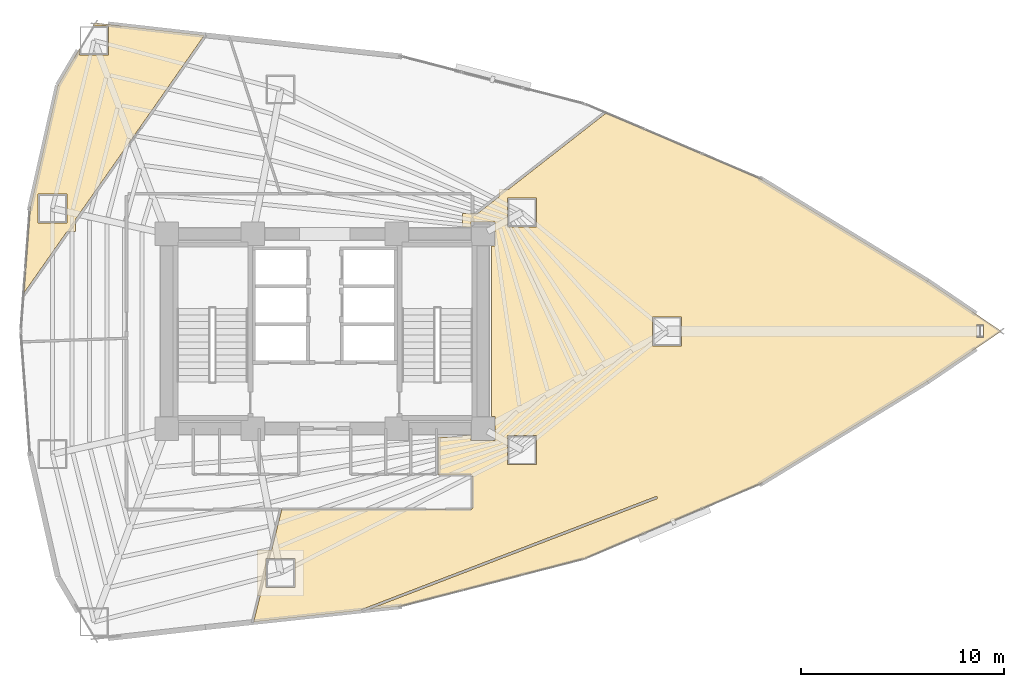
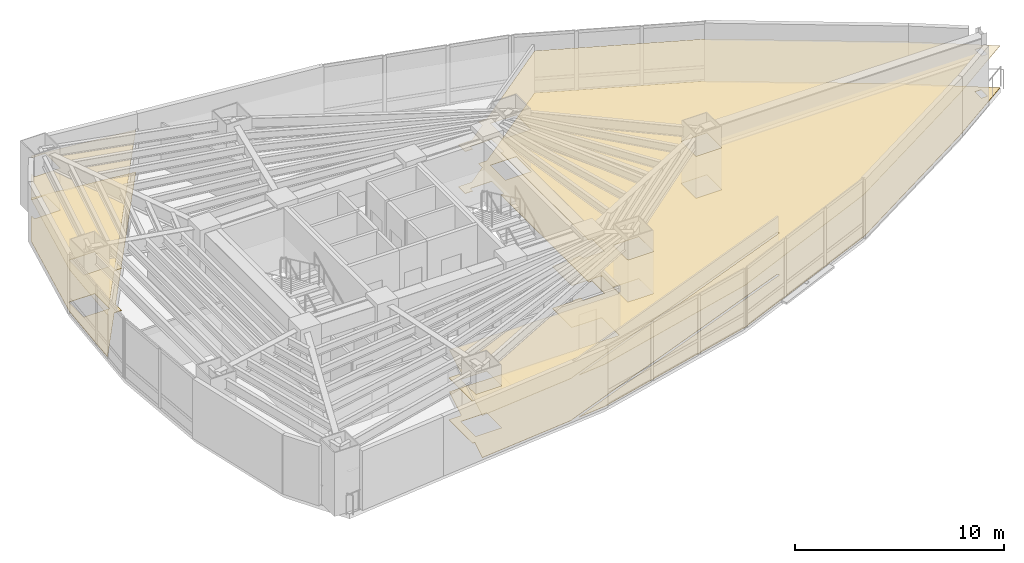
# One storey, part 18 of 20: 4 coverings.
"""IFC4 building model written with IfcOpenShell, lengths in metres."""

from ifc_helpers import new_model, si_unit, direction, frame, origin, place, context, subcontext, project, spatial, polyline, outline, extrude, material, layer, layer_set, type_object, element, save


model = new_model("IFC4")

# Units and contexts
model_context = context("Model", 3, precision=1e-05, world=origin(), true_north=direction((0.0, 1.0)))
body_context = subcontext(model_context, "Body", "Model", "MODEL_VIEW")
ifc_project = project(units=[si_unit("LENGTHUNIT", "METRE"), si_unit("AREAUNIT", "SQUARE_METRE"), si_unit("VOLUMEUNIT", "CUBIC_METRE"), si_unit("PLANEANGLEUNIT", "RADIAN"), si_unit("MASSUNIT", "GRAM", prefix="KILO")], contexts=[model_context])

# Site, building, storey
site_placement = place(None, origin())
site = spatial("IfcSite", under=ifc_project, at=site_placement, CompositionType="ELEMENT")
building_placement = place(site_placement, origin())
building = spatial("IfcBuilding", under=site, at=building_placement, Name="Menara Vayukalpa", CompositionType="ELEMENT")
storey_placement = place(building_placement, frame((0.0, 0.0, 57.360107421875)))
storey = spatial("IfcBuildingStorey", under=building, at=storey_placement, Name="L13", CompositionType="ELEMENT", Elevation=57.360107421875)

# Coverings
ifc_material_1 = material(Name="Mineral Fibre Acoustic Ceiling Tile", Category="masonry")
ifc_layer_1 = layer(ifc_material_1, 0.02490234375)
ifc_layer_set_1 = layer_set([ifc_layer_1], Name="Mineral Fibre Acoustic Ceiling Tile")
covering_type_1 = type_object("IfcCoveringType", Name="COV-CLG1", PredefinedType="CEILING", material=ifc_layer_set_1)
covering_1_placement = place(storey_placement, frame((0.0, 0.0, 2.449951171875)))
element("IfcCovering", 1, at=covering_1_placement, inside=storey, type_object=covering_type_1, Name="L13 Digital Engineering Lab Acoustic Ceiling", PredefinedType="CEILING", context=body_context, shape_type="SweptSolid", body=[
    extrude(outline(polyline([(23.47119140625, 13.21337890625), (23.471435546875, 13.214111328125), (23.471923828125, 13.215087890625), (23.472412109375, 13.2158203125), (23.472900390625, 13.216552734375), (23.4736328125, 13.21728515625), (23.474365234375, 13.218017578125), (23.47509765625, 13.218505859375), (23.475830078125, 13.218994140625), (23.476806640625, 13.21923828125), (23.477783203125, 13.219482421875), (23.478515625, 13.2197265625), (23.4794921875, 13.219970703125), (23.48046875, 13.219970703125), (32.7998046875, 13.219970703125), (32.806884765625, 13.220458984375), (32.813720703125, 13.22119140625), (32.8203125, 13.222900390625), (32.826904296875, 13.225341796875), (32.8330078125, 13.228271484375), (32.8388671875, 13.231689453125), (32.844482421875, 13.236083984375), (32.849609375, 13.240478515625), (32.85400390625, 13.24560546875), (32.858154296875, 13.251220703125), (32.86181640625, 13.257080078125), (32.86474609375, 13.26318359375), (32.866943359375, 13.269775390625), (32.86865234375, 13.2763671875), (32.86962890625, 13.283203125), (32.8701171875, 13.290283203125), (32.8701171875, 14.849609375), (32.86962890625, 14.856689453125), (32.86865234375, 14.86376953125), (32.866943359375, 14.870361328125), (32.86474609375, 14.876708984375), (32.86181640625, 14.883056640625), (32.858154296875, 14.888916015625), (32.85400390625, 14.89453125), (32.849609375, 14.8994140625), (32.844482421875, 14.904052734375), (32.8388671875, 14.908203125), (32.8330078125, 14.911865234375), (32.826904296875, 14.914794921875), (32.8203125, 14.9169921875), (32.813720703125, 14.918701171875), (32.806884765625, 14.919677734375), (32.7998046875, 14.919921875), (31.219970703125, 14.919921875), (31.218994140625, 14.919921875), (31.218017578125, 14.920166015625), (31.217041015625, 14.92041015625), (31.21630859375, 14.9208984375), (31.21533203125, 14.921142578125), (31.21435546875, 14.921630859375), (31.213623046875, 14.92236328125), (31.212890625, 14.9228515625), (31.21240234375, 14.923583984375), (31.211669921875, 14.92431640625), (31.211181640625, 14.92529296875), (31.210693359375, 14.92626953125), (31.21044921875, 14.927001953125), (31.210205078125, 14.927978515625), (31.2099609375, 14.928955078125), (31.2099609375, 14.929931640625), (31.2099609375, 16.780029296875), (31.2099609375, 16.781005859375), (31.210205078125, 16.781982421875), (31.21044921875, 16.782958984375), (31.210693359375, 16.78369140625), (31.211181640625, 16.78466796875), (31.211669921875, 16.78564453125), (31.21240234375, 16.786376953125), (31.212890625, 16.787109375), (31.213623046875, 16.78759765625), (31.21435546875, 16.788330078125), (31.21533203125, 16.788818359375), (31.21630859375, 16.789306640625), (31.217041015625, 16.78955078125), (31.218017578125, 16.789794921875), (31.218994140625, 16.7900390625), (31.219970703125, 16.7900390625), (32.389892578125, 16.7900390625), (32.389892578125, 16.85009765625), (32.81005859375, 16.85009765625), (32.81005859375, 16.610107421875), (33.989990234375, 16.610107421875), (33.989990234375, 17.7900390625), (33.81005859375, 17.7900390625), (33.81005859375, 26.2099609375), (33.989990234375, 26.2099609375), (33.989990234375, 27.389892578125), (32.81005859375, 27.389892578125), (32.81005859375, 27.14990234375), (32.389892578125, 27.14990234375), (32.389892578125, 27.81005859375), (33.134033203125, 27.81005859375), (34.18310546875, 28.629638671875), (34.18310546875, 28.998291015625), (34.65478515625, 28.998291015625), (39.451416015625, 32.74560546875), (39.454345703125, 32.748291015625), (39.455078125, 32.7490234375), (39.4560546875, 32.74951171875), (39.456787109375, 32.75), (39.457763671875, 32.750244140625), (39.458740234375, 32.75048828125), (39.459716796875, 32.750732421875), (39.460693359375, 32.750732421875), (39.4619140625, 32.750732421875), (39.462890625, 32.75048828125), (39.4638671875, 32.75048828125), (39.46484375, 32.75), (47.09228515625, 29.499755859375), (47.093505859375, 29.4990234375), (55.31494140625, 24.466796875), (55.315185546875, 24.466552734375), (58.927734375, 22.00830078125), (58.928466796875, 22.0078125), (58.92919921875, 22.007080078125), (58.929931640625, 22.00634765625), (58.930419921875, 22.005615234375), (58.930908203125, 22.004638671875), (58.931396484375, 22.00390625), (58.931640625, 22.0029296875), (58.931884765625, 22.001953125), (58.93212890625, 22.0009765625), (58.93212890625, 22.0), (58.93212890625, 21.9990234375), (58.931884765625, 21.998046875), (58.931640625, 21.9970703125), (58.931396484375, 21.99609375), (58.930908203125, 21.995361328125), (58.930419921875, 21.994384765625), (58.929931640625, 21.99365234375), (58.92919921875, 21.992919921875), (58.928466796875, 21.9921875), (58.927734375, 21.99169921875), (55.315185546875, 19.533447265625), (55.31494140625, 19.533203125), (47.093505859375, 14.5009765625), (47.09228515625, 14.500244140625), (38.41748046875, 10.8037109375), (38.416748046875, 10.803466796875), (38.416015625, 10.80322265625), (29.287109375, 8.442138671875), (29.28564453125, 8.44189453125), (27.8046875, 8.283447265625), (27.8037109375, 8.283203125), (27.802490234375, 8.283203125), (27.801513671875, 8.283447265625), (27.800537109375, 8.28369140625), (27.7998046875, 8.2841796875), (27.798828125, 8.284423828125), (27.7978515625, 8.284912109375), (27.797119140625, 8.28564453125), (27.79638671875, 8.2861328125), (27.795654296875, 8.287109375), (27.795166015625, 8.287841796875), (27.794677734375, 8.28857421875), (27.794189453125, 8.28955078125), (27.7939453125, 8.29052734375), (27.793701171875, 8.29150390625), (27.79345703125, 8.29248046875), (27.79345703125, 8.29345703125), (27.793701171875, 8.29443359375), (27.793701171875, 8.29541015625), (27.7939453125, 8.29638671875), (27.794189453125, 8.29736328125), (27.794921875, 8.298095703125), (27.79541015625, 8.299072265625), (27.7958984375, 8.2998046875), (27.796630859375, 8.300537109375), (27.79736328125, 8.30126953125), (27.798095703125, 8.3017578125), (27.799072265625, 8.30224609375), (27.7998046875, 8.302490234375), (41.950927734375, 13.734619140625), (41.95654296875, 13.737060546875), (41.9619140625, 13.739990234375), (41.966552734375, 13.743408203125), (41.970947265625, 13.747314453125), (41.97509765625, 13.751708984375), (41.978759765625, 13.756103515625), (41.98193359375, 13.76123046875), (41.984619140625, 13.766357421875), (41.98681640625, 13.771728515625), (41.98828125, 13.777587890625), (41.9892578125, 13.783203125), (41.98974609375, 13.789306640625), (41.989501953125, 13.795166015625), (41.98876953125, 13.801025390625), (41.987548828125, 13.806884765625), (41.985595703125, 13.812255859375), (41.9833984375, 13.817626953125), (41.98046875, 13.82275390625), (41.97705078125, 13.82763671875), (41.97314453125, 13.83203125), (41.968994140625, 13.836181640625), (41.96435546875, 13.83984375), (41.95947265625, 13.843017578125), (41.9541015625, 13.845703125), (41.948486328125, 13.84765625), (41.94287109375, 13.849365234375), (41.937255859375, 13.850341796875), (41.931396484375, 13.850830078125), (41.92529296875, 13.8505859375), (41.919677734375, 13.849853515625), (41.913818359375, 13.8486328125), (41.908203125, 13.8466796875), (27.40234375, 8.278564453125), (27.396728515625, 8.276123046875), (27.3916015625, 8.273193359375), (27.38671875, 8.269775390625), (27.38232421875, 8.265869140625), (27.37841796875, 8.26171875), (27.374755859375, 8.257080078125), (27.37158203125, 8.251953125), (27.368896484375, 8.246826171875), (27.366943359375, 8.241943359375), (27.366455078125, 8.240966796875), (27.365966796875, 8.239990234375), (27.365478515625, 8.2392578125), (27.36474609375, 8.238525390625), (27.364013671875, 8.23779296875), (27.36328125, 8.2373046875), (27.3623046875, 8.23681640625), (27.361572265625, 8.236328125), (27.360595703125, 8.236083984375), (27.359619140625, 8.235595703125), (27.358642578125, 8.235595703125), (22.103515625, 7.673095703125), (22.1025390625, 7.6728515625), (22.1015625, 7.6728515625), (22.1005859375, 7.673095703125), (22.099853515625, 7.67333984375), (22.098876953125, 7.673583984375), (22.097900390625, 7.674072265625), (22.09716796875, 7.674560546875), (22.096435546875, 7.675048828125), (22.095703125, 7.675537109375), (22.094970703125, 7.67626953125), (22.094482421875, 7.677001953125), (22.09375, 7.677978515625), (22.093505859375, 7.6787109375), (22.093017578125, 7.6796875), (22.0927734375, 7.6806640625), (22.092529296875, 7.681396484375), (22.092529296875, 7.6826171875), (22.092529296875, 7.683349609375), (22.092529296875, 7.684326171875), (22.0927734375, 7.685302734375), (22.40625, 8.942138671875), (22.284423828125, 8.942138671875), (22.284423828125, 11.212158203125), (22.97216796875, 11.212158203125), (23.470703125, 13.21240234375), (23.47119140625, 13.21337890625)]), holes=[polyline([(24.134521484375, 10.792236328125), (22.704345703125, 10.792236328125), (22.704345703125, 9.3623046875), (24.134521484375, 9.3623046875), (24.134521484375, 10.792236328125)]), polyline([(36.032958984375, 16.851806640625), (34.60302734375, 16.851806640625), (34.60302734375, 15.421875), (36.032958984375, 15.421875), (36.032958984375, 16.851806640625)]), polyline([(43.1796875, 22.715087890625), (41.749755859375, 22.715087890625), (41.749755859375, 21.284912109375), (43.1796875, 21.284912109375), (43.1796875, 22.715087890625)]), polyline([(58.07275390625, 22.30908203125), (57.74267578125, 22.30908203125), (57.74267578125, 21.69091796875), (58.07275390625, 21.69091796875), (58.07275390625, 22.30908203125)]), polyline([(36.032958984375, 27.148193359375), (36.032958984375, 28.578125), (34.60302734375, 28.578125), (34.60302734375, 27.148193359375), (36.032958984375, 27.148193359375)])]), origin(), (0.0, 0.0, 1.0), 0.02490234375),
])
covering_2_placement = place(storey_placement, frame((0.0, 0.0, 2.449951171875)))
element("IfcCovering", 2, at=covering_2_placement, inside=storey, type_object=covering_type_1, Name="L13 Open Plan Office Workplace Acoustic Ceiling", PredefinedType="CEILING", context=body_context, shape_type="SweptSolid", body=[
    extrude(outline(polyline([(12.88818359375, 26.924560546875), (10.7822265625, 23.916748046875), (10.781494140625, 23.916015625), (10.781005859375, 23.915283203125), (10.7802734375, 23.914794921875), (10.779296875, 23.9140625), (10.778564453125, 23.91357421875), (10.777587890625, 23.9130859375), (10.77685546875, 23.912841796875), (10.77587890625, 23.91259765625), (10.77490234375, 23.91259765625), (10.77392578125, 23.91259765625), (10.77294921875, 23.91259765625), (10.77197265625, 23.91259765625), (10.77099609375, 23.912841796875), (10.770263671875, 23.913330078125), (10.769287109375, 23.913818359375), (10.7685546875, 23.914306640625), (10.767578125, 23.914794921875), (10.76708984375, 23.915283203125), (10.766357421875, 23.916015625), (10.765869140625, 23.916748046875), (10.76513671875, 23.917724609375), (10.764892578125, 23.91845703125), (10.764404296875, 23.91943359375), (10.76416015625, 23.92041015625), (10.76416015625, 23.92138671875), (10.763916015625, 23.92236328125), (10.763916015625, 23.923095703125), (11.073974609375, 28.057373046875), (11.07421875, 28.058837890625), (12.4365234375, 34.114013671875), (12.43701171875, 34.114990234375), (12.437255859375, 34.115966796875), (12.437744140625, 34.11669921875), (13.502685546875, 35.92822265625), (13.502685546875, 35.619384765625), (14.9326171875, 35.619384765625), (14.9326171875, 37.04931640625), (14.16162109375, 37.04931640625), (14.248291015625, 37.19677734375), (14.248779296875, 37.197509765625), (14.24951171875, 37.1982421875), (14.25, 37.198974609375), (14.250732421875, 37.199462890625), (14.251708984375, 37.2001953125), (14.25244140625, 37.200439453125), (14.25341796875, 37.200927734375), (14.254150390625, 37.201171875), (14.255126953125, 37.201416015625), (14.256103515625, 37.20166015625), (14.257080078125, 37.20166015625), (14.258056640625, 37.201416015625), (19.638916015625, 36.59130859375), (19.639892578125, 36.591064453125), (19.640869140625, 36.5908203125), (19.641845703125, 36.590576171875), (19.642578125, 36.590087890625), (19.6435546875, 36.589599609375), (19.644287109375, 36.5888671875), (19.64501953125, 36.588134765625), (19.6455078125, 36.58740234375), (19.646240234375, 36.586669921875), (19.646728515625, 36.5859375), (19.647216796875, 36.5849609375), (19.6474609375, 36.583984375), (19.647705078125, 36.5830078125), (19.647705078125, 36.58203125), (19.647705078125, 36.5810546875), (19.647705078125, 36.580078125), (19.647705078125, 36.5791015625), (19.647216796875, 36.578125), (19.64697265625, 36.577392578125), (19.646484375, 36.576416015625), (19.64599609375, 36.57568359375), (13.29931640625, 27.511474609375), (13.29931640625, 26.924560546875), (12.88818359375, 26.924560546875)]), holes=[polyline([(12.879150390625, 28.774658203125), (11.44921875, 28.774658203125), (11.44921875, 27.344482421875), (12.879150390625, 27.344482421875), (12.879150390625, 28.774658203125)])]), origin(), (0.0, 0.0, 1.0), 0.02490234375),
])
ifc_material_2 = material(Name="Porcelain Stoneware Floor Tile", Category="masonry")
ifc_layer_2 = layer(ifc_material_2, 0.02001953125)
ifc_layer_set_2 = layer_set([ifc_layer_2], Name="Porcelain Stoneware Floor Tile")
covering_type_2 = type_object("IfcCoveringType", Name="COV-FLR1", PredefinedType="FLOORING", material=ifc_layer_set_2)
covering_3_placement = place(storey_placement, origin())
element("IfcCovering", 3, at=covering_3_placement, inside=storey, type_object=covering_type_2, Name="L13 Digital Engineering Lab Porcelain Flooring", PredefinedType="FLOORING", context=body_context, shape_type="SweptSolid", body=[
    extrude(outline(polyline([(23.47119140625, 13.21337890625), (23.471435546875, 13.214111328125), (23.471923828125, 13.215087890625), (23.472412109375, 13.2158203125), (23.472900390625, 13.216552734375), (23.4736328125, 13.21728515625), (23.474365234375, 13.218017578125), (23.47509765625, 13.218505859375), (23.475830078125, 13.218994140625), (23.476806640625, 13.21923828125), (23.477783203125, 13.219482421875), (23.478515625, 13.2197265625), (23.4794921875, 13.219970703125), (23.48046875, 13.219970703125), (32.7998046875, 13.219970703125), (32.806884765625, 13.220458984375), (32.813720703125, 13.22119140625), (32.8203125, 13.222900390625), (32.826904296875, 13.225341796875), (32.8330078125, 13.228271484375), (32.8388671875, 13.231689453125), (32.844482421875, 13.236083984375), (32.849609375, 13.240478515625), (32.85400390625, 13.24560546875), (32.858154296875, 13.251220703125), (32.86181640625, 13.257080078125), (32.86474609375, 13.26318359375), (32.866943359375, 13.269775390625), (32.86865234375, 13.2763671875), (32.86962890625, 13.283203125), (32.8701171875, 13.290283203125), (32.8701171875, 14.849609375), (32.86962890625, 14.856689453125), (32.86865234375, 14.86376953125), (32.866943359375, 14.870361328125), (32.86474609375, 14.876708984375), (32.86181640625, 14.883056640625), (32.858154296875, 14.888916015625), (32.85400390625, 14.89453125), (32.849609375, 14.8994140625), (32.844482421875, 14.904052734375), (32.8388671875, 14.908203125), (32.8330078125, 14.911865234375), (32.826904296875, 14.914794921875), (32.8203125, 14.9169921875), (32.813720703125, 14.918701171875), (32.806884765625, 14.919677734375), (32.7998046875, 14.919921875), (31.219970703125, 14.919921875), (31.218994140625, 14.919921875), (31.218017578125, 14.920166015625), (31.217041015625, 14.92041015625), (31.21630859375, 14.9208984375), (31.21533203125, 14.921142578125), (31.21435546875, 14.921630859375), (31.213623046875, 14.92236328125), (31.212890625, 14.9228515625), (31.21240234375, 14.923583984375), (31.211669921875, 14.92431640625), (31.211181640625, 14.92529296875), (31.210693359375, 14.92626953125), (31.21044921875, 14.927001953125), (31.210205078125, 14.927978515625), (31.2099609375, 14.928955078125), (31.2099609375, 14.929931640625), (31.2099609375, 16.780029296875), (31.2099609375, 16.781005859375), (31.210205078125, 16.781982421875), (31.21044921875, 16.782958984375), (31.210693359375, 16.78369140625), (31.211181640625, 16.78466796875), (31.211669921875, 16.78564453125), (31.21240234375, 16.786376953125), (31.212890625, 16.787109375), (31.213623046875, 16.78759765625), (31.21435546875, 16.788330078125), (31.21533203125, 16.788818359375), (31.21630859375, 16.789306640625), (31.217041015625, 16.78955078125), (31.218017578125, 16.789794921875), (31.218994140625, 16.7900390625), (31.219970703125, 16.7900390625), (32.389892578125, 16.7900390625), (32.389892578125, 16.85009765625), (32.81005859375, 16.85009765625), (32.81005859375, 16.610107421875), (33.989990234375, 16.610107421875), (33.989990234375, 17.7900390625), (33.81005859375, 17.7900390625), (33.81005859375, 26.2099609375), (33.989990234375, 26.2099609375), (33.989990234375, 27.389892578125), (32.81005859375, 27.389892578125), (32.81005859375, 27.14990234375), (32.389892578125, 27.14990234375), (32.389892578125, 27.81005859375), (33.134033203125, 27.81005859375), (34.18310546875, 28.629638671875), (34.18310546875, 28.998291015625), (34.65478515625, 28.998291015625), (39.451416015625, 32.74560546875), (39.454345703125, 32.748291015625), (39.455078125, 32.7490234375), (39.4560546875, 32.74951171875), (39.456787109375, 32.75), (39.457763671875, 32.750244140625), (39.458740234375, 32.75048828125), (39.459716796875, 32.750732421875), (39.460693359375, 32.750732421875), (39.4619140625, 32.750732421875), (39.462890625, 32.75048828125), (39.4638671875, 32.75048828125), (39.46484375, 32.75), (47.09228515625, 29.499755859375), (47.093505859375, 29.4990234375), (55.31494140625, 24.466796875), (55.315185546875, 24.466552734375), (58.927734375, 22.00830078125), (58.928466796875, 22.0078125), (58.92919921875, 22.007080078125), (58.929931640625, 22.00634765625), (58.930419921875, 22.005615234375), (58.930908203125, 22.004638671875), (58.931396484375, 22.00390625), (58.931640625, 22.0029296875), (58.931884765625, 22.001953125), (58.93212890625, 22.0009765625), (58.93212890625, 22.0), (58.93212890625, 21.9990234375), (58.931884765625, 21.998046875), (58.931640625, 21.9970703125), (58.931396484375, 21.99609375), (58.930908203125, 21.995361328125), (58.930419921875, 21.994384765625), (58.929931640625, 21.99365234375), (58.92919921875, 21.992919921875), (58.928466796875, 21.9921875), (58.927734375, 21.99169921875), (55.315185546875, 19.533447265625), (55.31494140625, 19.533203125), (47.093505859375, 14.5009765625), (47.09228515625, 14.500244140625), (38.41748046875, 10.8037109375), (38.416748046875, 10.803466796875), (38.416015625, 10.80322265625), (29.287109375, 8.442138671875), (29.28564453125, 8.44189453125), (27.8046875, 8.283447265625), (27.8037109375, 8.283203125), (27.802490234375, 8.283203125), (27.801513671875, 8.283447265625), (27.800537109375, 8.28369140625), (27.7998046875, 8.2841796875), (27.798828125, 8.284423828125), (27.7978515625, 8.284912109375), (27.797119140625, 8.28564453125), (27.79638671875, 8.2861328125), (27.795654296875, 8.287109375), (27.795166015625, 8.287841796875), (27.794677734375, 8.28857421875), (27.794189453125, 8.28955078125), (27.7939453125, 8.29052734375), (27.793701171875, 8.29150390625), (27.79345703125, 8.29248046875), (27.79345703125, 8.29345703125), (27.793701171875, 8.29443359375), (27.793701171875, 8.29541015625), (27.7939453125, 8.29638671875), (27.794189453125, 8.29736328125), (27.794921875, 8.298095703125), (27.79541015625, 8.299072265625), (27.7958984375, 8.2998046875), (27.796630859375, 8.300537109375), (27.79736328125, 8.30126953125), (27.798095703125, 8.3017578125), (27.799072265625, 8.30224609375), (27.7998046875, 8.302490234375), (41.950927734375, 13.734619140625), (41.95654296875, 13.737060546875), (41.9619140625, 13.739990234375), (41.966552734375, 13.743408203125), (41.970947265625, 13.747314453125), (41.97509765625, 13.751708984375), (41.978759765625, 13.756103515625), (41.98193359375, 13.76123046875), (41.984619140625, 13.766357421875), (41.98681640625, 13.771728515625), (41.98828125, 13.777587890625), (41.9892578125, 13.783203125), (41.98974609375, 13.789306640625), (41.989501953125, 13.795166015625), (41.98876953125, 13.801025390625), (41.987548828125, 13.806884765625), (41.985595703125, 13.812255859375), (41.9833984375, 13.817626953125), (41.98046875, 13.82275390625), (41.97705078125, 13.82763671875), (41.97314453125, 13.83203125), (41.968994140625, 13.836181640625), (41.96435546875, 13.83984375), (41.95947265625, 13.843017578125), (41.9541015625, 13.845703125), (41.948486328125, 13.84765625), (41.94287109375, 13.849365234375), (41.937255859375, 13.850341796875), (41.931396484375, 13.850830078125), (41.92529296875, 13.8505859375), (41.919677734375, 13.849853515625), (41.913818359375, 13.8486328125), (41.908203125, 13.8466796875), (27.40234375, 8.278564453125), (27.396728515625, 8.276123046875), (27.3916015625, 8.273193359375), (27.38671875, 8.269775390625), (27.38232421875, 8.265869140625), (27.37841796875, 8.26171875), (27.374755859375, 8.257080078125), (27.37158203125, 8.251953125), (27.368896484375, 8.246826171875), (27.366943359375, 8.241943359375), (27.366455078125, 8.240966796875), (27.365966796875, 8.239990234375), (27.365478515625, 8.2392578125), (27.36474609375, 8.238525390625), (27.364013671875, 8.23779296875), (27.36328125, 8.2373046875), (27.3623046875, 8.23681640625), (27.361572265625, 8.236328125), (27.360595703125, 8.236083984375), (27.359619140625, 8.235595703125), (27.358642578125, 8.235595703125), (22.103515625, 7.673095703125), (22.1025390625, 7.6728515625), (22.1015625, 7.6728515625), (22.1005859375, 7.673095703125), (22.099853515625, 7.67333984375), (22.098876953125, 7.673583984375), (22.097900390625, 7.674072265625), (22.09716796875, 7.674560546875), (22.096435546875, 7.675048828125), (22.095703125, 7.675537109375), (22.094970703125, 7.67626953125), (22.094482421875, 7.677001953125), (22.09375, 7.677978515625), (22.093505859375, 7.6787109375), (22.093017578125, 7.6796875), (22.0927734375, 7.6806640625), (22.092529296875, 7.681396484375), (22.092529296875, 7.6826171875), (22.092529296875, 7.683349609375), (22.092529296875, 7.684326171875), (22.0927734375, 7.685302734375), (22.40625, 8.942138671875), (22.284423828125, 8.942138671875), (22.284423828125, 11.212158203125), (22.97216796875, 11.212158203125), (23.470703125, 13.21240234375), (23.47119140625, 13.21337890625)]), holes=[polyline([(24.134521484375, 10.792236328125), (22.704345703125, 10.792236328125), (22.704345703125, 9.3623046875), (24.134521484375, 9.3623046875), (24.134521484375, 10.792236328125)]), polyline([(36.032958984375, 16.851806640625), (34.60302734375, 16.851806640625), (34.60302734375, 15.421875), (36.032958984375, 15.421875), (36.032958984375, 16.851806640625)]), polyline([(43.1796875, 22.715087890625), (41.749755859375, 22.715087890625), (41.749755859375, 21.284912109375), (43.1796875, 21.284912109375), (43.1796875, 22.715087890625)]), polyline([(58.07275390625, 22.30908203125), (57.74267578125, 22.30908203125), (57.74267578125, 21.69091796875), (58.07275390625, 21.69091796875), (58.07275390625, 22.30908203125)]), polyline([(36.032958984375, 27.148193359375), (36.032958984375, 28.578125), (34.60302734375, 28.578125), (34.60302734375, 27.148193359375), (36.032958984375, 27.148193359375)])]), origin(), (0.0, 0.0, 1.0), 0.019775390625),
])
covering_4_placement = place(storey_placement, origin())
element("IfcCovering", 4, at=covering_4_placement, inside=storey, type_object=covering_type_2, Name="L13 Open Plan Office Workplace Porcelain Flooring", PredefinedType="FLOORING", context=body_context, shape_type="SweptSolid", body=[
    extrude(outline(polyline([(12.88818359375, 26.924560546875), (10.7822265625, 23.916748046875), (10.781494140625, 23.916015625), (10.781005859375, 23.915283203125), (10.7802734375, 23.914794921875), (10.779296875, 23.9140625), (10.778564453125, 23.91357421875), (10.777587890625, 23.9130859375), (10.77685546875, 23.912841796875), (10.77587890625, 23.91259765625), (10.77490234375, 23.91259765625), (10.77392578125, 23.91259765625), (10.77294921875, 23.91259765625), (10.77197265625, 23.91259765625), (10.77099609375, 23.912841796875), (10.770263671875, 23.913330078125), (10.769287109375, 23.913818359375), (10.7685546875, 23.914306640625), (10.767578125, 23.914794921875), (10.76708984375, 23.915283203125), (10.766357421875, 23.916015625), (10.765869140625, 23.916748046875), (10.76513671875, 23.917724609375), (10.764892578125, 23.91845703125), (10.764404296875, 23.91943359375), (10.76416015625, 23.92041015625), (10.76416015625, 23.92138671875), (10.763916015625, 23.92236328125), (10.763916015625, 23.923095703125), (11.073974609375, 28.057373046875), (11.07421875, 28.058837890625), (12.4365234375, 34.114013671875), (12.43701171875, 34.114990234375), (12.437255859375, 34.115966796875), (12.437744140625, 34.11669921875), (13.502685546875, 35.92822265625), (13.502685546875, 35.619384765625), (14.9326171875, 35.619384765625), (14.9326171875, 37.04931640625), (14.16162109375, 37.04931640625), (14.248291015625, 37.19677734375), (14.248779296875, 37.197509765625), (14.24951171875, 37.1982421875), (14.25, 37.198974609375), (14.250732421875, 37.199462890625), (14.251708984375, 37.2001953125), (14.25244140625, 37.200439453125), (14.25341796875, 37.200927734375), (14.254150390625, 37.201171875), (14.255126953125, 37.201416015625), (14.256103515625, 37.20166015625), (14.257080078125, 37.20166015625), (14.258056640625, 37.201416015625), (19.638916015625, 36.59130859375), (19.639892578125, 36.591064453125), (19.640869140625, 36.5908203125), (19.641845703125, 36.590576171875), (19.642578125, 36.590087890625), (19.6435546875, 36.589599609375), (19.644287109375, 36.5888671875), (19.64501953125, 36.588134765625), (19.6455078125, 36.58740234375), (19.646240234375, 36.586669921875), (19.646728515625, 36.5859375), (19.647216796875, 36.5849609375), (19.6474609375, 36.583984375), (19.647705078125, 36.5830078125), (19.647705078125, 36.58203125), (19.647705078125, 36.5810546875), (19.647705078125, 36.580078125), (19.647705078125, 36.5791015625), (19.647216796875, 36.578125), (19.64697265625, 36.577392578125), (19.646484375, 36.576416015625), (19.64599609375, 36.57568359375), (13.29931640625, 27.511474609375), (13.29931640625, 26.924560546875), (12.88818359375, 26.924560546875)]), holes=[polyline([(12.879150390625, 28.774658203125), (11.44921875, 28.774658203125), (11.44921875, 27.344482421875), (12.879150390625, 27.344482421875), (12.879150390625, 28.774658203125)])]), origin(), (0.0, 0.0, 1.0), 0.019775390625),
])

save(model, "model.ifc")
